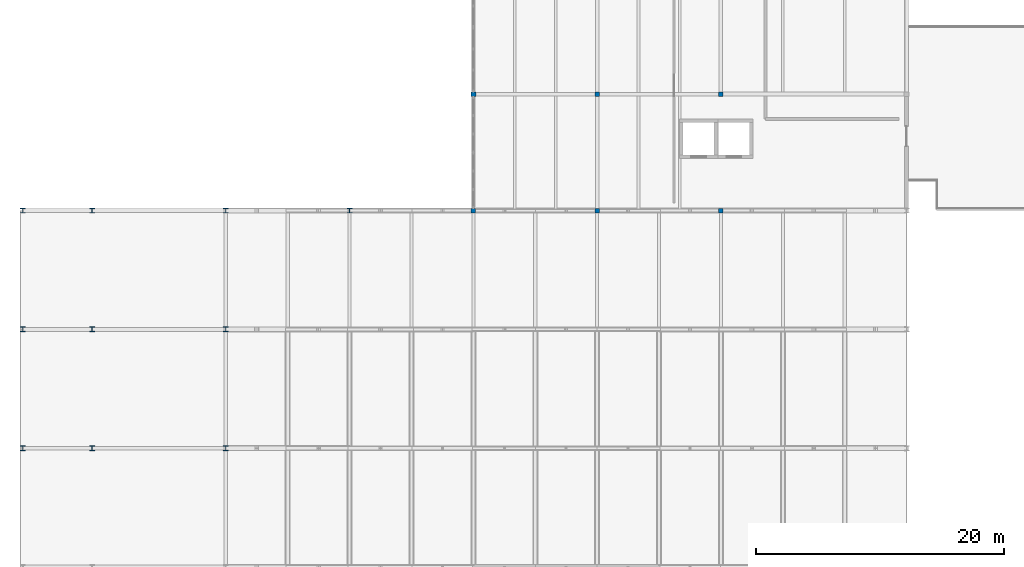
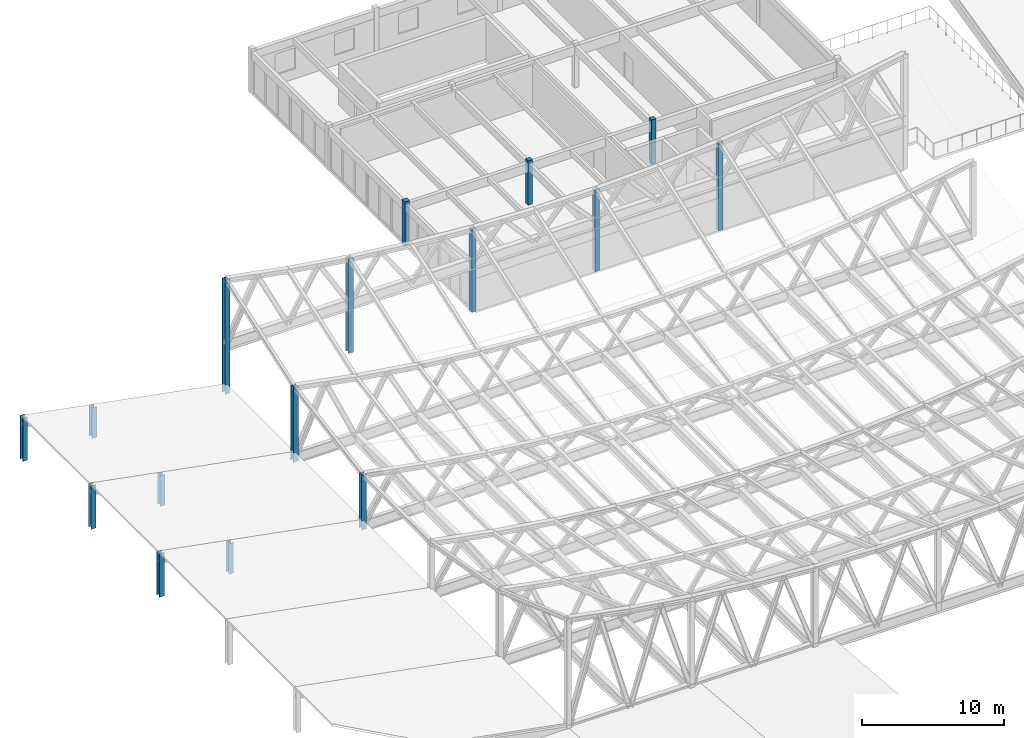
# One storey, part 3 of 40: 16 columns.
"""IFC4 building model written with IfcOpenShell, lengths in metres."""

from ifc_helpers import new_model, si_unit, direction, frame, origin, origin_2d, place, context, subcontext, project, spatial, rectangle, i_section, extrude, material, material_profile, profile_set, type_object, element, save


model = new_model("IFC4")

# Units and contexts
model_context = context("Model", 3, precision=1e-05, world=origin(), true_north=direction((0.0, 1.0)))
body_context = subcontext(model_context, "Body", "Model", "MODEL_VIEW")
ifc_project = project(units=[si_unit("LENGTHUNIT", "METRE"), si_unit("AREAUNIT", "SQUARE_METRE"), si_unit("VOLUMEUNIT", "CUBIC_METRE"), si_unit("PLANEANGLEUNIT", "RADIAN"), si_unit("MASSUNIT", "GRAM", prefix="KILO")], contexts=[model_context])

# Site, building, storey
site_placement = place(None, origin())
site = spatial("IfcSite", under=ifc_project, at=site_placement, CompositionType="ELEMENT")
building_placement = place(site_placement, origin())
building = spatial("IfcBuilding", under=site, at=building_placement, Name="Veldera Park Congress Hotel", CompositionType="ELEMENT")
storey_placement = place(building_placement, frame((0.0, 0.0, 16.199951171875)))
storey = spatial("IfcBuildingStorey", under=building, at=storey_placement, Name="L03", CompositionType="ELEMENT", Elevation=16.199951171875)

# Columns
ifc_material_1 = material(Name="Glulam GL28h (NDS 24F-V4)", Category="wood")
ifc_material_profile_1 = material_profile(ifc_material_1, rectangle(XDim=0.360107421875, YDim=0.360107421875, at=origin_2d()), Name="GL28h 360x360")
ifc_profile_set_1 = profile_set([ifc_material_profile_1], Name="Glulam GL28h (NDS 24F-V4)")
column_type_1 = type_object("IfcColumnType", Name="COL-GL36", PredefinedType="COLUMN", material=ifc_profile_set_1)
column_1_placement = place(storey_placement, frame((-47.39990234375, 27.0, 0.0), z_axis=(0.0, 0.0, 1.0), x_axis=(1.0, 0.0, 0.0)))
element("IfcColumn", 1, at=column_1_placement, inside=storey, type_object=column_type_1, Name="L03 Column COL-GL36 (-47.4,27.0)", PredefinedType="COLUMN", context=body_context, shape_type="SweptSolid", body=[
    extrude(rectangle(XDim=0.360107421875, YDim=0.360107421875, at=origin_2d()), origin(), (0.0, 0.0, 1.0), 7.148681640625),
])
column_2_placement = place(storey_placement, frame((-37.39990234375, 27.0, 0.0), z_axis=(0.0, 0.0, 1.0), x_axis=(1.0, 0.0, 0.0)))
element("IfcColumn", 2, at=column_2_placement, inside=storey, type_object=column_type_1, Name="L03 Column COL-GL36 (-37.4,27.0)", PredefinedType="COLUMN", context=body_context, shape_type="SweptSolid", body=[
    extrude(rectangle(XDim=0.360107421875, YDim=0.360107421875, at=origin_2d()), origin(), (0.0, 0.0, 1.0), 6.967529296875),
])
column_3_placement = place(storey_placement, frame((-27.39990234375, 27.0, 0.0), z_axis=(0.0, 0.0, 1.0), x_axis=(1.0, 0.0, 0.0)))
element("IfcColumn", 3, at=column_3_placement, inside=storey, type_object=column_type_1, Name="L03 Column COL-GL36 (-27.4,27.0)", PredefinedType="COLUMN", context=body_context, shape_type="SweptSolid", body=[
    extrude(rectangle(XDim=0.360107421875, YDim=0.360107421875, at=origin_2d()), origin(), (0.0, 0.0, 1.0), 7.541259765625),
])
for number, where, z_axis, x_axis, name in (
    (4, (-37.39990234375, 36.39990234375, 0.0), (0.0, 0.0, 1.0), (1.0, 0.0, 0.0), "L03 Column COL-GL36 (-37.4,36.4)"),
    (5, (-27.39990234375, 36.39990234375, 0.0), (0.0, 0.0, 1.0), (1.0, 0.0, 0.0), "L03 Column COL-GL36 (-27.4,36.4)"),
):
    element("IfcColumn", number, at=place(storey_placement, frame(where, z_axis=z_axis, x_axis=x_axis)), inside=storey, type_object=column_type_1, Name=name, PredefinedType="COLUMN", context=body_context, shape_type="SweptSolid", body=[
        extrude(rectangle(XDim=0.360107421875, YDim=0.360107421875, at=origin_2d()), origin(), (0.0, 0.0, 1.0), 3.800048828125),
    ])
ifc_material_profile_2 = material_profile(ifc_material_1, rectangle(XDim=0.389892578125, YDim=0.389892578125, at=origin_2d()), Name="GL28h 390x390")
ifc_profile_set_2 = profile_set([ifc_material_profile_2], Name="Glulam GL28h (NDS 24F-V4)")
column_type_2 = type_object("IfcColumnType", Name="COL-GL36E", PredefinedType="COLUMN", material=ifc_profile_set_2)
column_4_placement = place(storey_placement, frame((-47.39990234375, 36.39990234375, 0.0), z_axis=(0.0, 0.0, 1.0), x_axis=(1.0, 0.0, 0.0)))
element("IfcColumn", 6, at=column_4_placement, inside=storey, type_object=column_type_2, Name="L03 Column COL-GL36E (-47.4,36.4)", PredefinedType="COLUMN", context=body_context, shape_type="SweptSolid", body=[
    extrude(rectangle(XDim=0.389892578125, YDim=0.389892578125, at=origin_2d()), origin(), (0.0, 0.0, 1.0), 3.800048828125),
])
ifc_material_2 = material(Name="Steel ASTM A992 Gr.50", Category="steel")
ifc_material_profile_3 = material_profile(ifc_material_2, i_section(OverallWidth=0.39697265625, OverallDepth=0.386962890625, WebThickness=0.02099609375, FlangeThickness=0.033203125, at=origin_2d()), Name="W14X176")
ifc_profile_set_3 = profile_set([ifc_material_profile_3], Name="Steel ASTM A992 Gr.50")
column_type_3 = type_object("IfcColumnType", Name="COL-STL176", PredefinedType="COLUMN", material=ifc_profile_set_3)
column_5_placement = place(storey_placement, frame((-67.39990234375, 7.800048828125, 0.0), z_axis=(0.0, 0.0, 1.0), x_axis=(1.0, 0.0, 0.0)))
element("IfcColumn", 7, at=column_5_placement, inside=storey, type_object=column_type_3, Name="L03 Column COL-STL176 (-67.4,7.8)", PredefinedType="COLUMN", context=body_context, shape_type="SweptSolid", body=[
    extrude(i_section(OverallWidth=0.39697265625, OverallDepth=0.386962890625, WebThickness=0.02099609375, FlangeThickness=0.033203125, at=origin_2d()), origin(), (0.0, 0.0, 1.0), 4.695556640625),
])
column_6_placement = place(storey_placement, frame((-67.39990234375, 17.39990234375, 0.0), z_axis=(0.0, 0.0, 1.0), x_axis=(1.0, 0.0, 0.0)))
element("IfcColumn", 8, at=column_6_placement, inside=storey, type_object=column_type_3, Name="L03 Column COL-STL176 (-67.4,17.4)", PredefinedType="COLUMN", context=body_context, shape_type="SweptSolid", body=[
    extrude(i_section(OverallWidth=0.39697265625, OverallDepth=0.386962890625, WebThickness=0.02099609375, FlangeThickness=0.033203125, at=origin_2d()), origin(), (0.0, 0.0, 1.0), 6.38916015625),
])
ifc_material_profile_4 = material_profile(ifc_material_2, i_section(OverallWidth=0.39892578125, OverallDepth=0.39306640625, WebThickness=0.022705078125, FlangeThickness=0.03662109375, at=origin_2d()), Name="W14X193")
ifc_profile_set_4 = profile_set([ifc_material_profile_4], Name="Steel ASTM A992 Gr.50")
column_type_4 = type_object("IfcColumnType", Name="COL-STL176E", PredefinedType="COLUMN", material=ifc_profile_set_4)
column_7_placement = place(storey_placement, frame((-83.800048828125, 7.800048828125, 0.0), z_axis=(0.0, 0.0, 1.0), x_axis=(1.0, 0.0, 0.0)))
element("IfcColumn", 9, at=column_7_placement, inside=storey, type_object=column_type_4, Name="L03 Column COL-STL176E (-83.8,7.8)", PredefinedType="COLUMN", context=body_context, shape_type="SweptSolid", body=[
    extrude(i_section(OverallWidth=0.39892578125, OverallDepth=0.39306640625, WebThickness=0.022705078125, FlangeThickness=0.03662109375, at=origin_2d()), origin(), (0.0, 0.0, 1.0), 3.719970703125),
])
column_8_placement = place(storey_placement, frame((-78.199951171875, 7.800048828125, 0.0), z_axis=(0.0, 0.0, 1.0), x_axis=(1.0, 0.0, 0.0)))
element("IfcColumn", 10, at=column_8_placement, inside=storey, type_object=column_type_4, Name="L03 Column COL-STL176E (-78.2,7.8)", PredefinedType="COLUMN", context=body_context, shape_type="SweptSolid", body=[
    extrude(i_section(OverallWidth=0.39892578125, OverallDepth=0.39306640625, WebThickness=0.022705078125, FlangeThickness=0.03662109375, at=origin_2d()), origin(), (0.0, 0.0, 1.0), 2.6201171875),
])
column_9_placement = place(storey_placement, frame((-83.800048828125, 17.39990234375, 0.0), z_axis=(0.0, 0.0, 1.0), x_axis=(1.0, 0.0, 0.0)))
element("IfcColumn", 11, at=column_9_placement, inside=storey, type_object=column_type_4, Name="L03 Column COL-STL176E (-83.8,17.4)", PredefinedType="COLUMN", context=body_context, shape_type="SweptSolid", body=[
    extrude(i_section(OverallWidth=0.39892578125, OverallDepth=0.39306640625, WebThickness=0.022705078125, FlangeThickness=0.03662109375, at=origin_2d()), origin(), (0.0, 0.0, 1.0), 3.719970703125),
])
column_10_placement = place(storey_placement, frame((-78.199951171875, 17.39990234375, 0.0), z_axis=(0.0, 0.0, 1.0), x_axis=(1.0, 0.0, 0.0)))
element("IfcColumn", 12, at=column_10_placement, inside=storey, type_object=column_type_4, Name="L03 Column COL-STL176E (-78.2,17.4)", PredefinedType="COLUMN", context=body_context, shape_type="SweptSolid", body=[
    extrude(i_section(OverallWidth=0.39892578125, OverallDepth=0.39306640625, WebThickness=0.022705078125, FlangeThickness=0.03662109375, at=origin_2d()), origin(), (0.0, 0.0, 1.0), 2.6201171875),
])
column_11_placement = place(storey_placement, frame((-83.800048828125, 27.0, 0.0), z_axis=(0.0, 0.0, 1.0), x_axis=(1.0, 0.0, 0.0)))
element("IfcColumn", 13, at=column_11_placement, inside=storey, type_object=column_type_4, Name="L03 Column COL-STL176E (-83.8,27.0)", PredefinedType="COLUMN", context=body_context, shape_type="SweptSolid", body=[
    extrude(i_section(OverallWidth=0.39892578125, OverallDepth=0.39306640625, WebThickness=0.022705078125, FlangeThickness=0.03662109375, at=origin_2d()), origin(), (0.0, 0.0, 1.0), 3.719970703125),
])
column_12_placement = place(storey_placement, frame((-78.199951171875, 27.0, 0.0), z_axis=(0.0, 0.0, 1.0), x_axis=(1.0, 0.0, 0.0)))
element("IfcColumn", 14, at=column_12_placement, inside=storey, type_object=column_type_4, Name="L03 Column COL-STL176E (-78.2,27.0)", PredefinedType="COLUMN", context=body_context, shape_type="SweptSolid", body=[
    extrude(i_section(OverallWidth=0.39892578125, OverallDepth=0.39306640625, WebThickness=0.022705078125, FlangeThickness=0.03662109375, at=origin_2d()), origin(), (0.0, 0.0, 1.0), 2.6201171875),
])
column_13_placement = place(storey_placement, frame((-67.39990234375, 27.0, 0.0), z_axis=(0.0, 0.0, 1.0), x_axis=(1.0, 0.0, 0.0)))
element("IfcColumn", 15, at=column_13_placement, inside=storey, type_object=column_type_4, Name="L03 Column COL-STL176E (-67.4,27.0)", PredefinedType="COLUMN", context=body_context, shape_type="SweptSolid", body=[
    extrude(i_section(OverallWidth=0.39892578125, OverallDepth=0.39306640625, WebThickness=0.022705078125, FlangeThickness=0.03662109375, at=origin_2d()), origin(), (0.0, 0.0, 1.0), 9.776123046875),
])
column_14_placement = place(storey_placement, frame((-57.39990234375, 27.0, 0.0), z_axis=(0.0, 0.0, 1.0), x_axis=(1.0, 0.0, 0.0)))
element("IfcColumn", 16, at=column_14_placement, inside=storey, type_object=column_type_4, Name="L03 Column COL-STL176E (-57.4,27.0)", PredefinedType="COLUMN", context=body_context, shape_type="SweptSolid", body=[
    extrude(i_section(OverallWidth=0.39892578125, OverallDepth=0.39306640625, WebThickness=0.022705078125, FlangeThickness=0.03662109375, at=origin_2d()), origin(), (0.0, 0.0, 1.0), 8.0849609375),
])

save(model, "model.ifc")
